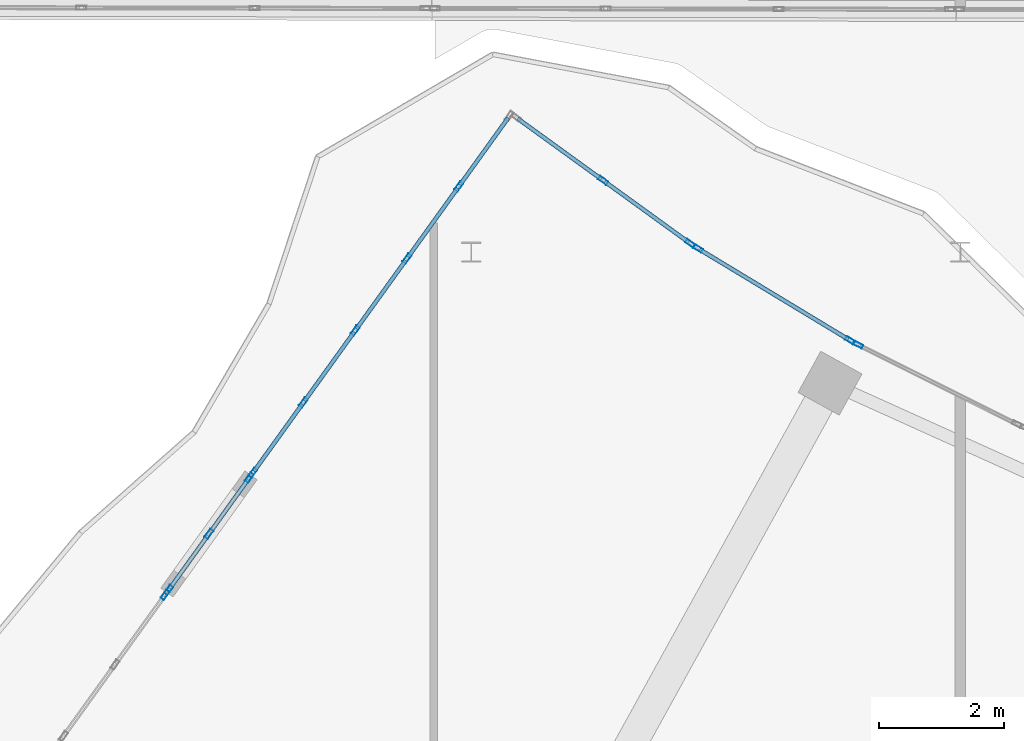
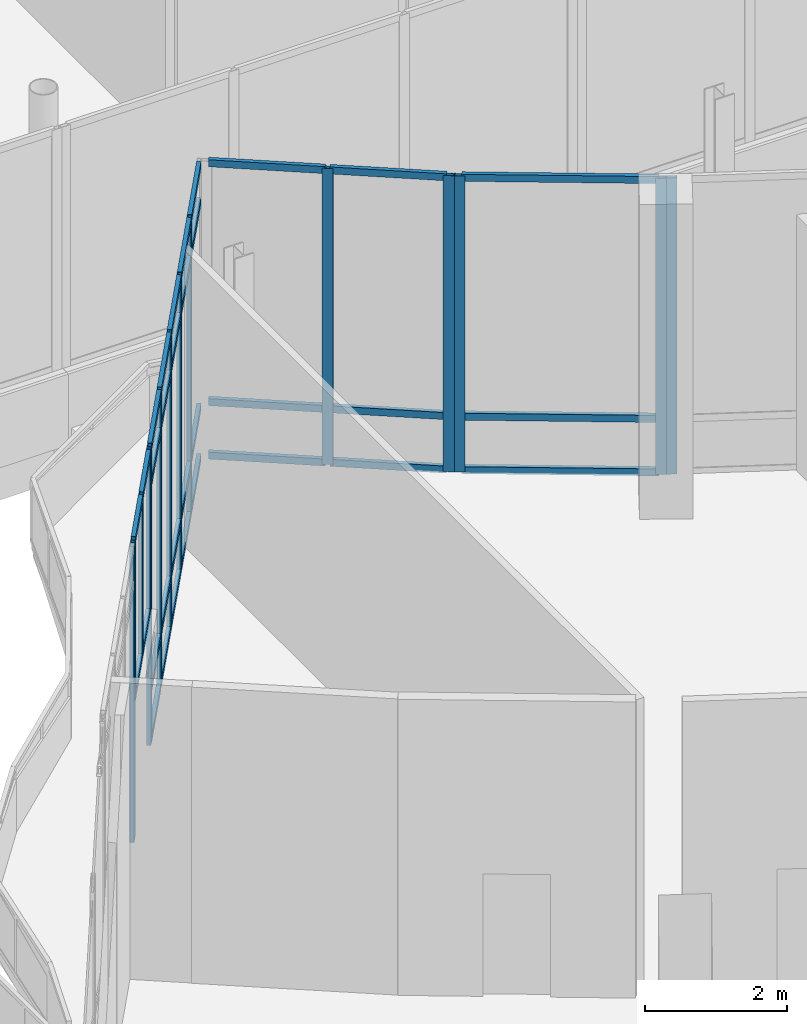
# One storey, part 30 of 158: 47 members, 6 elements without a shape of their own.
"""IFC4 building model written with IfcOpenShell, lengths in metres."""

from ifc_helpers import new_model, si_unit, direction, frame, origin, origin_2d, place, context, subcontext, project, spatial, hollow_rectangle, extrude, material, material_profile, profile_set, type_object, element, aggregate, save


model = new_model("IFC4")

# Units and contexts
model_context = context("Model", 3, precision=1e-05, world=origin(), true_north=direction((0.0, 1.0)))
body_context = subcontext(model_context, "Body", "Model", "MODEL_VIEW")
ifc_project = project(units=[si_unit("LENGTHUNIT", "METRE"), si_unit("AREAUNIT", "SQUARE_METRE"), si_unit("VOLUMEUNIT", "CUBIC_METRE"), si_unit("PLANEANGLEUNIT", "RADIAN"), si_unit("MASSUNIT", "GRAM", prefix="KILO")], contexts=[model_context])

# Site, building, storey
site_placement = place(None, origin())
site = spatial("IfcSite", under=ifc_project, at=site_placement, CompositionType="ELEMENT")
building_placement = place(site_placement, origin())
building = spatial("IfcBuilding", under=site, at=building_placement, Name="Selatvlak General Hospital", CompositionType="ELEMENT")
storey_placement = place(building_placement, origin())
storey = spatial("IfcBuildingStorey", under=building, at=storey_placement, Name="L00", CompositionType="ELEMENT", Elevation=0.0)

# Curtain wall, members
ifc_material_1 = material(Name="Solar-control Low-E double glazing", Category="glass")
curtain_wall_type_1 = type_object("IfcCurtainWallType", Name="CW-CW-02", PredefinedType="USERDEFINED", material=ifc_material_1)
curtain_wall_1_placement = place(storey_placement, origin())
curtain_wall_1 = element("IfcCurtainWall", 1, at=curtain_wall_1_placement, inside=storey, type_object=curtain_wall_type_1, Name="Glazed facade curtain wall CW-L00-0066", ObjectType="UNITISED CURTAIN WALL", PredefinedType="USERDEFINED")
ifc_material_2 = material(Name="Dark anodised aluminium mullion", Category="aluminium")
ifc_material_profile_1 = material_profile(ifc_material_2, hollow_rectangle(XDim=0.06494140625, YDim=0.159912109375, WallThickness=0.00390625, at=origin_2d()), Name="AL-MUL 65x160x4")
ifc_profile_set_1 = profile_set([ifc_material_profile_1], Name="Dark anodised aluminium mullion")
member_type_1 = type_object("IfcMemberType", Name="CWM-01", PredefinedType="MULLION", material=ifc_profile_set_1)
member_1_placement = place(storey_placement, frame((26.974853515625, 42.71044921875, 2.320068359375), z_axis=(0.0, 0.0, 1.0), x_axis=(-0.812302328602, 0.583236596029, 0.0)))
member_1 = element("IfcMember", 2, at=member_1_placement, type_object=member_type_1, Name="CW-02 mullion 1", PredefinedType="MULLION", context=body_context, shape_type="SweptSolid", body=[
    extrude(hollow_rectangle(XDim=0.06494140625, YDim=0.159912109375, WallThickness=0.00390625, at=origin_2d()), origin(), (0.0, 0.0, 1.0), 2.760009765625),
])
member_2_placement = place(storey_placement, frame((27.617919921875, 43.60595703125, 2.320068359375), z_axis=(0.0, 0.0, 1.0), x_axis=(-0.812302328602, 0.583236596029, 0.0)))
member_2 = element("IfcMember", 3, at=member_2_placement, type_object=member_type_1, Name="CW-02 mullion 2", PredefinedType="MULLION", context=body_context, shape_type="SweptSolid", body=[
    extrude(hollow_rectangle(XDim=0.06494140625, YDim=0.159912109375, WallThickness=0.00390625, at=origin_2d()), origin(), (0.0, 0.0, 1.0), 2.760009765625),
])
member_3_placement = place(storey_placement, frame((28.260986328125, 44.501708984375, 2.320068359375), z_axis=(0.0, 0.0, 1.0), x_axis=(-0.812302328602, 0.583236596029, 0.0)))
member_3 = element("IfcMember", 4, at=member_3_placement, type_object=member_type_1, Name="CW-02 mullion 3", PredefinedType="MULLION", context=body_context, shape_type="SweptSolid", body=[
    extrude(hollow_rectangle(XDim=0.06494140625, YDim=0.159912109375, WallThickness=0.00390625, at=origin_2d()), origin(), (0.0, 0.0, 1.0), 2.760009765625),
])

# Curtain wall, member
curtain_wall_type_2 = type_object("IfcCurtainWallType", Name="CW-CW-01", PredefinedType="USERDEFINED", material=ifc_material_1)
curtain_wall_2_placement = place(storey_placement, origin())
curtain_wall_2 = element("IfcCurtainWall", 5, at=curtain_wall_2_placement, inside=storey, type_object=curtain_wall_type_2, Name="Glazed facade curtain wall CW-L00-0067", ObjectType="UNITISED CURTAIN WALL", PredefinedType="USERDEFINED")
member_4_placement = place(storey_placement, frame((26.9189453125, 42.633544921875, 0.0), z_axis=(0.0, 0.0, 1.0), x_axis=(-0.81180439095, 0.583929474196, 0.0)))
member_4 = element("IfcMember", 6, at=member_4_placement, type_object=member_type_1, Name="CW-01 mullion 6", PredefinedType="MULLION", context=body_context, shape_type="SweptSolid", body=[
    extrude(hollow_rectangle(XDim=0.06494140625, YDim=0.159912109375, WallThickness=0.00390625, at=origin_2d()), origin(), (0.0, 0.0, 1.0), 5.080078125),
])
aggregate(curtain_wall_2, [member_4])

# Curtain wall, members
curtain_wall_3_placement = place(storey_placement, origin())
curtain_wall_3 = element("IfcCurtainWall", 7, at=curtain_wall_3_placement, inside=storey, type_object=curtain_wall_type_2, Name="Glazed facade curtain wall CW-L00-0068", ObjectType="UNITISED CURTAIN WALL", PredefinedType="USERDEFINED")
member_5_placement = place(storey_placement, frame((28.31689453125, 44.578369140625, 0.0), z_axis=(0.0, 0.0, 1.0), x_axis=(-0.811837318502, 0.583883694145, 0.0)))
member_5 = element("IfcMember", 8, at=member_5_placement, type_object=member_type_1, Name="CW-01 mullion 1", PredefinedType="MULLION", context=body_context, shape_type="SweptSolid", body=[
    extrude(hollow_rectangle(XDim=0.06494140625, YDim=0.159912109375, WallThickness=0.00390625, at=origin_2d()), origin(), (0.0, 0.0, 1.0), 5.080078125),
])
member_6_placement = place(storey_placement, frame((29.123779296875, 45.7001953125, 0.0), z_axis=(0.0, 0.0, 1.0), x_axis=(-0.811837318502, 0.583883694145, 0.0)))
member_6 = element("IfcMember", 9, at=member_6_placement, type_object=member_type_1, Name="CW-01 mullion 2", PredefinedType="MULLION", context=body_context, shape_type="SweptSolid", body=[
    extrude(hollow_rectangle(XDim=0.06494140625, YDim=0.159912109375, WallThickness=0.00390625, at=origin_2d()), origin(), (0.0, 0.0, 1.0), 5.080078125),
])
member_7_placement = place(storey_placement, frame((29.94970703125, 46.848388671875, 0.0), z_axis=(0.0, 0.0, 1.0), x_axis=(-0.811837318502, 0.583883694145, 0.0)))
member_7 = element("IfcMember", 10, at=member_7_placement, type_object=member_type_1, Name="CW-01 mullion 3", PredefinedType="MULLION", context=body_context, shape_type="SweptSolid", body=[
    extrude(hollow_rectangle(XDim=0.06494140625, YDim=0.159912109375, WallThickness=0.00390625, at=origin_2d()), origin(), (0.0, 0.0, 1.0), 5.080078125),
])
member_8_placement = place(storey_placement, frame((30.775390625, 47.99658203125, 0.0), z_axis=(0.0, 0.0, 1.0), x_axis=(-0.811837318502, 0.583883694145, 0.0)))
member_8 = element("IfcMember", 11, at=member_8_placement, type_object=member_type_1, Name="CW-01 mullion 4", PredefinedType="MULLION", context=body_context, shape_type="SweptSolid", body=[
    extrude(hollow_rectangle(XDim=0.06494140625, YDim=0.159912109375, WallThickness=0.00390625, at=origin_2d()), origin(), (0.0, 0.0, 1.0), 5.080078125),
])
member_9_placement = place(storey_placement, frame((31.601318359375, 49.144775390625, 0.0), z_axis=(0.0, 0.0, 1.0), x_axis=(-0.811837318502, 0.583883694145, 0.0)))
member_9 = element("IfcMember", 12, at=member_9_placement, type_object=member_type_1, Name="CW-01 mullion 5", PredefinedType="MULLION", context=body_context, shape_type="SweptSolid", body=[
    extrude(hollow_rectangle(XDim=0.06494140625, YDim=0.159912109375, WallThickness=0.00390625, at=origin_2d()), origin(), (0.0, 0.0, 1.0), 5.080078125),
])

curtain_wall_4_placement = place(storey_placement, origin())
curtain_wall_4 = element("IfcCurtainWall", 13, at=curtain_wall_4_placement, inside=storey, type_object=curtain_wall_type_2, Name="Glazed facade curtain wall CW-L00-0069", ObjectType="UNITISED CURTAIN WALL", PredefinedType="USERDEFINED")
member_10_placement = place(storey_placement, frame((33.903564453125, 49.242431640625, 0.0), z_axis=(0.0, 0.0, 1.0), x_axis=(0.58631560804, 0.810082716622, 0.0)))
member_10 = element("IfcMember", 14, at=member_10_placement, type_object=member_type_1, Name="CW-01 mullion 2", PredefinedType="MULLION", context=body_context, shape_type="SweptSolid", body=[
    extrude(hollow_rectangle(XDim=0.06494140625, YDim=0.159912109375, WallThickness=0.00390625, at=origin_2d()), origin(), (0.0, 0.0, 1.0), 5.080078125),
])
member_11_placement = place(storey_placement, frame((35.292724609375, 48.237060546875, 0.0), z_axis=(0.0, 0.0, 1.0), x_axis=(0.58631560804, 0.810082716622, 0.0)))
member_11 = element("IfcMember", 15, at=member_11_placement, type_object=member_type_1, Name="CW-01 mullion 3", PredefinedType="MULLION", context=body_context, shape_type="SweptSolid", body=[
    extrude(hollow_rectangle(XDim=0.06494140625, YDim=0.159912109375, WallThickness=0.00390625, at=origin_2d()), origin(), (0.0, 0.0, 1.0), 5.080078125),
])

curtain_wall_5_placement = place(storey_placement, origin())
curtain_wall_5 = element("IfcCurtainWall", 16, at=curtain_wall_5_placement, inside=storey, type_object=curtain_wall_type_1, Name="Glazed facade curtain wall CW-L00-0070", ObjectType="UNITISED CURTAIN WALL", PredefinedType="USERDEFINED")
member_12_placement = place(storey_placement, frame((35.414794921875, 48.158203125, 0.0), z_axis=(0.0, 0.0, 1.0), x_axis=(0.517384094885, 0.85575329293, 0.0)))
member_12 = element("IfcMember", 17, at=member_12_placement, type_object=member_type_1, Name="CW-02 mullion 1", PredefinedType="MULLION", context=body_context, shape_type="SweptSolid", body=[
    extrude(hollow_rectangle(XDim=0.06494140625, YDim=0.159912109375, WallThickness=0.00390625, at=origin_2d()), origin(), (0.0, 0.0, 1.0), 5.080078125),
])
member_13_placement = place(storey_placement, frame((37.840087890625, 46.69189453125, 0.0), z_axis=(0.0, 0.0, 1.0), x_axis=(0.517384094885, 0.85575329293, 0.0)))
member_13 = element("IfcMember", 18, at=member_13_placement, type_object=member_type_1, Name="CW-02 mullion 2", PredefinedType="MULLION", context=body_context, shape_type="SweptSolid", body=[
    extrude(hollow_rectangle(XDim=0.06494140625, YDim=0.159912109375, WallThickness=0.00390625, at=origin_2d()), origin(), (0.0, 0.0, 1.0), 5.080078125),
])

# Curtain wall, member
curtain_wall_6_placement = place(storey_placement, origin())
curtain_wall_6 = element("IfcCurtainWall", 19, at=curtain_wall_6_placement, inside=storey, type_object=curtain_wall_type_2, Name="Glazed facade curtain wall CW-L00-0071", ObjectType="UNITISED CURTAIN WALL", PredefinedType="USERDEFINED")
member_14_placement = place(storey_placement, frame((37.968017578125, 46.62353515625, 0.0), z_axis=(0.0, 0.0, 1.0), x_axis=(0.447627060006, 0.894220339262, 0.0)))
member_14 = element("IfcMember", 20, at=member_14_placement, type_object=member_type_1, Name="CW-01 mullion 1", PredefinedType="MULLION", context=body_context, shape_type="SweptSolid", body=[
    extrude(hollow_rectangle(XDim=0.06494140625, YDim=0.159912109375, WallThickness=0.00390625, at=origin_2d()), origin(), (0.0, 0.0, 1.0), 5.080078125),
])
aggregate(curtain_wall_6, [member_14])

# Member
ifc_material_profile_2 = material_profile(ifc_material_2, hollow_rectangle(XDim=0.06494140625, YDim=0.1201171875, WallThickness=0.00390625, at=origin_2d()), Name="AL-TRN 65x120x4")
ifc_profile_set_2 = profile_set([ifc_material_profile_2], Name="Dark anodised aluminium mullion")
member_type_2 = type_object("IfcMemberType", Name="CWT-01", PredefinedType="USERDEFINED", material=ifc_profile_set_2)
member_15_placement = place(storey_placement, frame((26.993896484375, 42.73681640625, 2.3525390625), z_axis=(0.583306308674, 0.812252270086, 0.0), x_axis=(-0.812252270086, 0.583306308674, 0.0)))
member_15 = element("IfcMember", 21, at=member_15_placement, type_object=member_type_2, Name="CW-02 transom 1.1", ObjectType="TRANSOM", PredefinedType="USERDEFINED", context=body_context, shape_type="SweptSolid", body=[
    extrude(hollow_rectangle(XDim=0.06494140625, YDim=0.1201171875, WallThickness=0.00390625, at=origin_2d()), origin(), (0.0, 0.0, 1.0), 1.03759765625),
])

member_16_placement = place(storey_placement, frame((26.993896484375, 42.73681640625, 5.047607421875), z_axis=(0.583306308674, 0.812252270086, 0.0), x_axis=(-0.812252270086, 0.583306308674, 0.0)))
member_16 = element("IfcMember", 22, at=member_16_placement, type_object=member_type_2, Name="CW-02 transom 1.2", ObjectType="TRANSOM", PredefinedType="USERDEFINED", context=body_context, shape_type="SweptSolid", body=[
    extrude(hollow_rectangle(XDim=0.06494140625, YDim=0.1201171875, WallThickness=0.00390625, at=origin_2d()), origin(), (0.0, 0.0, 1.0), 1.03759765625),
])

member_17_placement = place(storey_placement, frame((27.636962890625, 43.63232421875, 2.3525390625), z_axis=(0.583306308674, 0.812252270086, 0.0), x_axis=(-0.812252270086, 0.583306308674, 0.0)))
member_17 = element("IfcMember", 23, at=member_17_placement, type_object=member_type_2, Name="CW-02 transom 2.1", ObjectType="TRANSOM", PredefinedType="USERDEFINED", context=body_context, shape_type="SweptSolid", body=[
    extrude(hollow_rectangle(XDim=0.06494140625, YDim=0.1201171875, WallThickness=0.00390625, at=origin_2d()), origin(), (0.0, 0.0, 1.0), 1.03759765625),
])

member_18_placement = place(storey_placement, frame((27.636962890625, 43.63232421875, 5.047607421875), z_axis=(0.583306308674, 0.812252270086, 0.0), x_axis=(-0.812252270086, 0.583306308674, 0.0)))
member_18 = element("IfcMember", 24, at=member_18_placement, type_object=member_type_2, Name="CW-02 transom 2.2", ObjectType="TRANSOM", PredefinedType="USERDEFINED", context=body_context, shape_type="SweptSolid", body=[
    extrude(hollow_rectangle(XDim=0.06494140625, YDim=0.1201171875, WallThickness=0.00390625, at=origin_2d()), origin(), (0.0, 0.0, 1.0), 1.03759765625),
])

aggregate(curtain_wall_1, [member_1, member_2, member_3, member_15, member_16, member_17, member_18])

member_19_placement = place(storey_placement, frame((28.3359375, 44.604736328125, 0.032470703125), z_axis=(0.583830864609, 0.811875311566, 0.0), x_axis=(-0.811875311566, 0.583830864609, 0.0)))
member_19 = element("IfcMember", 25, at=member_19_placement, type_object=member_type_2, Name="CW-01 transom 1.1", ObjectType="TRANSOM", PredefinedType="USERDEFINED", context=body_context, shape_type="SweptSolid", body=[
    extrude(hollow_rectangle(XDim=0.06494140625, YDim=0.1201171875, WallThickness=0.00390625, at=origin_2d()), origin(), (0.0, 0.0, 1.0), 1.31689453125),
])

member_20_placement = place(storey_placement, frame((28.3359375, 44.604736328125, 0.89990234375), z_axis=(0.583830864609, 0.811875311566, 0.0), x_axis=(-0.811875311566, 0.583830864609, 0.0)))
member_20 = element("IfcMember", 26, at=member_20_placement, type_object=member_type_2, Name="CW-01 transom 1.2", ObjectType="TRANSOM", PredefinedType="USERDEFINED", context=body_context, shape_type="SweptSolid", body=[
    extrude(hollow_rectangle(XDim=0.06494140625, YDim=0.1201171875, WallThickness=0.00390625, at=origin_2d()), origin(), (0.0, 0.0, 1.0), 1.31689453125),
])

member_21_placement = place(storey_placement, frame((28.3359375, 44.604736328125, 4.429931640625), z_axis=(0.583830864609, 0.811875311566, 0.0), x_axis=(-0.811875311566, 0.583830864609, 0.0)))
member_21 = element("IfcMember", 27, at=member_21_placement, type_object=member_type_2, Name="CW-01 transom 1.3", ObjectType="TRANSOM", PredefinedType="USERDEFINED", context=body_context, shape_type="SweptSolid", body=[
    extrude(hollow_rectangle(XDim=0.06494140625, YDim=0.1201171875, WallThickness=0.00390625, at=origin_2d()), origin(), (0.0, 0.0, 1.0), 1.31689453125),
])

member_22_placement = place(storey_placement, frame((28.3359375, 44.604736328125, 5.047607421875), z_axis=(0.583830864609, 0.811875311566, 0.0), x_axis=(-0.811875311566, 0.583830864609, 0.0)))
member_22 = element("IfcMember", 28, at=member_22_placement, type_object=member_type_2, Name="CW-01 transom 1.4", ObjectType="TRANSOM", PredefinedType="USERDEFINED", context=body_context, shape_type="SweptSolid", body=[
    extrude(hollow_rectangle(XDim=0.06494140625, YDim=0.1201171875, WallThickness=0.00390625, at=origin_2d()), origin(), (0.0, 0.0, 1.0), 1.31689453125),
])

member_23_placement = place(storey_placement, frame((29.142822265625, 45.7265625, 0.032470703125), z_axis=(0.583870898815, 0.811846520912, 0.0), x_axis=(-0.811846520912, 0.583870898815, 0.0)))
member_23 = element("IfcMember", 29, at=member_23_placement, type_object=member_type_2, Name="CW-01 transom 2.1", ObjectType="TRANSOM", PredefinedType="USERDEFINED", context=body_context, shape_type="SweptSolid", body=[
    extrude(hollow_rectangle(XDim=0.06494140625, YDim=0.1201171875, WallThickness=0.00390625, at=origin_2d()), origin(), (0.0, 0.0, 1.0), 1.349365234375),
])

member_24_placement = place(storey_placement, frame((29.142822265625, 45.7265625, 0.89990234375), z_axis=(0.583870898815, 0.811846520912, 0.0), x_axis=(-0.811846520912, 0.583870898815, 0.0)))
member_24 = element("IfcMember", 30, at=member_24_placement, type_object=member_type_2, Name="CW-01 transom 2.2", ObjectType="TRANSOM", PredefinedType="USERDEFINED", context=body_context, shape_type="SweptSolid", body=[
    extrude(hollow_rectangle(XDim=0.06494140625, YDim=0.1201171875, WallThickness=0.00390625, at=origin_2d()), origin(), (0.0, 0.0, 1.0), 1.349365234375),
])

member_25_placement = place(storey_placement, frame((29.142822265625, 45.7265625, 4.429931640625), z_axis=(0.583870898815, 0.811846520912, 0.0), x_axis=(-0.811846520912, 0.583870898815, 0.0)))
member_25 = element("IfcMember", 31, at=member_25_placement, type_object=member_type_2, Name="CW-01 transom 2.3", ObjectType="TRANSOM", PredefinedType="USERDEFINED", context=body_context, shape_type="SweptSolid", body=[
    extrude(hollow_rectangle(XDim=0.06494140625, YDim=0.1201171875, WallThickness=0.00390625, at=origin_2d()), origin(), (0.0, 0.0, 1.0), 1.349365234375),
])

member_26_placement = place(storey_placement, frame((29.142822265625, 45.7265625, 5.047607421875), z_axis=(0.583870898815, 0.811846520912, 0.0), x_axis=(-0.811846520912, 0.583870898815, 0.0)))
member_26 = element("IfcMember", 32, at=member_26_placement, type_object=member_type_2, Name="CW-01 transom 2.4", ObjectType="TRANSOM", PredefinedType="USERDEFINED", context=body_context, shape_type="SweptSolid", body=[
    extrude(hollow_rectangle(XDim=0.06494140625, YDim=0.1201171875, WallThickness=0.00390625, at=origin_2d()), origin(), (0.0, 0.0, 1.0), 1.349365234375),
])

member_27_placement = place(storey_placement, frame((29.968505859375, 46.874755859375, 0.032470703125), z_axis=(0.583870898815, 0.811846520912, 0.0), x_axis=(-0.811846520912, 0.583870898815, 0.0)))
member_27 = element("IfcMember", 33, at=member_27_placement, type_object=member_type_2, Name="CW-01 transom 3.1", ObjectType="TRANSOM", PredefinedType="USERDEFINED", context=body_context, shape_type="SweptSolid", body=[
    extrude(hollow_rectangle(XDim=0.06494140625, YDim=0.1201171875, WallThickness=0.00390625, at=origin_2d()), origin(), (0.0, 0.0, 1.0), 1.349365234375),
])

member_28_placement = place(storey_placement, frame((29.968505859375, 46.874755859375, 0.89990234375), z_axis=(0.583870898815, 0.811846520912, 0.0), x_axis=(-0.811846520912, 0.583870898815, 0.0)))
member_28 = element("IfcMember", 34, at=member_28_placement, type_object=member_type_2, Name="CW-01 transom 3.2", ObjectType="TRANSOM", PredefinedType="USERDEFINED", context=body_context, shape_type="SweptSolid", body=[
    extrude(hollow_rectangle(XDim=0.06494140625, YDim=0.1201171875, WallThickness=0.00390625, at=origin_2d()), origin(), (0.0, 0.0, 1.0), 1.349365234375),
])

member_29_placement = place(storey_placement, frame((29.968505859375, 46.874755859375, 4.429931640625), z_axis=(0.583870898815, 0.811846520912, 0.0), x_axis=(-0.811846520912, 0.583870898815, 0.0)))
member_29 = element("IfcMember", 35, at=member_29_placement, type_object=member_type_2, Name="CW-01 transom 3.3", ObjectType="TRANSOM", PredefinedType="USERDEFINED", context=body_context, shape_type="SweptSolid", body=[
    extrude(hollow_rectangle(XDim=0.06494140625, YDim=0.1201171875, WallThickness=0.00390625, at=origin_2d()), origin(), (0.0, 0.0, 1.0), 1.349365234375),
])

member_30_placement = place(storey_placement, frame((29.968505859375, 46.874755859375, 5.047607421875), z_axis=(0.583870898815, 0.811846520912, 0.0), x_axis=(-0.811846520912, 0.583870898815, 0.0)))
member_30 = element("IfcMember", 36, at=member_30_placement, type_object=member_type_2, Name="CW-01 transom 3.4", ObjectType="TRANSOM", PredefinedType="USERDEFINED", context=body_context, shape_type="SweptSolid", body=[
    extrude(hollow_rectangle(XDim=0.06494140625, YDim=0.1201171875, WallThickness=0.00390625, at=origin_2d()), origin(), (0.0, 0.0, 1.0), 1.349365234375),
])

member_31_placement = place(storey_placement, frame((30.79443359375, 48.02294921875, 0.032470703125), z_axis=(0.583870898815, 0.811846520912, 0.0), x_axis=(-0.811846520912, 0.583870898815, 0.0)))
member_31 = element("IfcMember", 37, at=member_31_placement, type_object=member_type_2, Name="CW-01 transom 4.1", ObjectType="TRANSOM", PredefinedType="USERDEFINED", context=body_context, shape_type="SweptSolid", body=[
    extrude(hollow_rectangle(XDim=0.06494140625, YDim=0.1201171875, WallThickness=0.00390625, at=origin_2d()), origin(), (0.0, 0.0, 1.0), 1.349365234375),
])

member_32_placement = place(storey_placement, frame((30.79443359375, 48.02294921875, 0.89990234375), z_axis=(0.583870898815, 0.811846520912, 0.0), x_axis=(-0.811846520912, 0.583870898815, 0.0)))
member_32 = element("IfcMember", 38, at=member_32_placement, type_object=member_type_2, Name="CW-01 transom 4.2", ObjectType="TRANSOM", PredefinedType="USERDEFINED", context=body_context, shape_type="SweptSolid", body=[
    extrude(hollow_rectangle(XDim=0.06494140625, YDim=0.1201171875, WallThickness=0.00390625, at=origin_2d()), origin(), (0.0, 0.0, 1.0), 1.349365234375),
])

member_33_placement = place(storey_placement, frame((30.79443359375, 48.02294921875, 4.429931640625), z_axis=(0.583870898815, 0.811846520912, 0.0), x_axis=(-0.811846520912, 0.583870898815, 0.0)))
member_33 = element("IfcMember", 39, at=member_33_placement, type_object=member_type_2, Name="CW-01 transom 4.3", ObjectType="TRANSOM", PredefinedType="USERDEFINED", context=body_context, shape_type="SweptSolid", body=[
    extrude(hollow_rectangle(XDim=0.06494140625, YDim=0.1201171875, WallThickness=0.00390625, at=origin_2d()), origin(), (0.0, 0.0, 1.0), 1.349365234375),
])

member_34_placement = place(storey_placement, frame((30.79443359375, 48.02294921875, 5.047607421875), z_axis=(0.583870898815, 0.811846520912, 0.0), x_axis=(-0.811846520912, 0.583870898815, 0.0)))
member_34 = element("IfcMember", 40, at=member_34_placement, type_object=member_type_2, Name="CW-01 transom 4.4", ObjectType="TRANSOM", PredefinedType="USERDEFINED", context=body_context, shape_type="SweptSolid", body=[
    extrude(hollow_rectangle(XDim=0.06494140625, YDim=0.1201171875, WallThickness=0.00390625, at=origin_2d()), origin(), (0.0, 0.0, 1.0), 1.349365234375),
])

member_35_placement = place(storey_placement, frame((31.6201171875, 49.171142578125, 0.032470703125), z_axis=(0.583953050917, 0.811787431736, 0.0), x_axis=(-0.811787431736, 0.583953050917, 0.0)))
member_35 = element("IfcMember", 41, at=member_35_placement, type_object=member_type_2, Name="CW-01 transom 5.1", ObjectType="TRANSOM", PredefinedType="USERDEFINED", context=body_context, shape_type="SweptSolid", body=[
    extrude(hollow_rectangle(XDim=0.06494140625, YDim=0.1201171875, WallThickness=0.00390625, at=origin_2d()), origin(), (0.0, 0.0, 1.0), 1.31689453125),
])

member_36_placement = place(storey_placement, frame((31.6201171875, 49.171142578125, 0.89990234375), z_axis=(0.583953050917, 0.811787431736, 0.0), x_axis=(-0.811787431736, 0.583953050917, 0.0)))
member_36 = element("IfcMember", 42, at=member_36_placement, type_object=member_type_2, Name="CW-01 transom 5.2", ObjectType="TRANSOM", PredefinedType="USERDEFINED", context=body_context, shape_type="SweptSolid", body=[
    extrude(hollow_rectangle(XDim=0.06494140625, YDim=0.1201171875, WallThickness=0.00390625, at=origin_2d()), origin(), (0.0, 0.0, 1.0), 1.31689453125),
])

member_37_placement = place(storey_placement, frame((31.6201171875, 49.171142578125, 4.429931640625), z_axis=(0.583953050917, 0.811787431736, 0.0), x_axis=(-0.811787431736, 0.583953050917, 0.0)))
member_37 = element("IfcMember", 43, at=member_37_placement, type_object=member_type_2, Name="CW-01 transom 5.3", ObjectType="TRANSOM", PredefinedType="USERDEFINED", context=body_context, shape_type="SweptSolid", body=[
    extrude(hollow_rectangle(XDim=0.06494140625, YDim=0.1201171875, WallThickness=0.00390625, at=origin_2d()), origin(), (0.0, 0.0, 1.0), 1.31689453125),
])

member_38_placement = place(storey_placement, frame((31.6201171875, 49.171142578125, 5.047607421875), z_axis=(0.583953050917, 0.811787431736, 0.0), x_axis=(-0.811787431736, 0.583953050917, 0.0)))
member_38 = element("IfcMember", 44, at=member_38_placement, type_object=member_type_2, Name="CW-01 transom 5.4", ObjectType="TRANSOM", PredefinedType="USERDEFINED", context=body_context, shape_type="SweptSolid", body=[
    extrude(hollow_rectangle(XDim=0.06494140625, YDim=0.1201171875, WallThickness=0.00390625, at=origin_2d()), origin(), (0.0, 0.0, 1.0), 1.31689453125),
])

aggregate(curtain_wall_3, [member_5, member_6, member_7, member_8, member_9, member_19, member_20, member_21, member_22, member_23, member_24, member_25, member_26, member_27, member_28, member_29, member_30, member_31, member_32, member_33, member_34, member_35, member_36, member_37, member_38])

member_39_placement = place(storey_placement, frame((32.540771484375, 50.22900390625, 0.032470703125), z_axis=(0.810007561929, -0.586419431481, 0.0), x_axis=(0.586419431481, 0.810007561929, 0.0)))
member_39 = element("IfcMember", 45, at=member_39_placement, type_object=member_type_2, Name="CW-01 transom 1.1", ObjectType="TRANSOM", PredefinedType="USERDEFINED", context=body_context, shape_type="SweptSolid", body=[
    extrude(hollow_rectangle(XDim=0.06494140625, YDim=0.1201171875, WallThickness=0.00390625, at=origin_2d()), origin(), (0.0, 0.0, 1.0), 1.64990234375),
])

member_40_placement = place(storey_placement, frame((32.540771484375, 50.22900390625, 0.949951171875), z_axis=(0.810007561929, -0.586419431481, 0.0), x_axis=(0.586419431481, 0.810007561929, 0.0)))
member_40 = element("IfcMember", 46, at=member_40_placement, type_object=member_type_2, Name="CW-01 transom 1.2", ObjectType="TRANSOM", PredefinedType="USERDEFINED", context=body_context, shape_type="SweptSolid", body=[
    extrude(hollow_rectangle(XDim=0.06494140625, YDim=0.1201171875, WallThickness=0.00390625, at=origin_2d()), origin(), (0.0, 0.0, 1.0), 1.64990234375),
])

member_41_placement = place(storey_placement, frame((32.540771484375, 50.22900390625, 5.047607421875), z_axis=(0.810007561929, -0.586419431481, 0.0), x_axis=(0.586419431481, 0.810007561929, 0.0)))
member_41 = element("IfcMember", 47, at=member_41_placement, type_object=member_type_2, Name="CW-01 transom 1.3", ObjectType="TRANSOM", PredefinedType="USERDEFINED", context=body_context, shape_type="SweptSolid", body=[
    extrude(hollow_rectangle(XDim=0.06494140625, YDim=0.1201171875, WallThickness=0.00390625, at=origin_2d()), origin(), (0.0, 0.0, 1.0), 1.64990234375),
])

member_42_placement = place(storey_placement, frame((33.929931640625, 49.223388671875, 0.032470703125), z_axis=(0.810077850293, -0.586322331542, 0.0), x_axis=(0.586322331542, 0.810077850293, 0.0)))
member_42 = element("IfcMember", 48, at=member_42_placement, type_object=member_type_2, Name="CW-01 transom 2.1", ObjectType="TRANSOM", PredefinedType="USERDEFINED", context=body_context, shape_type="SweptSolid", body=[
    extrude(hollow_rectangle(XDim=0.06494140625, YDim=0.1201171875, WallThickness=0.00390625, at=origin_2d()), origin(), (0.0, 0.0, 1.0), 1.649658203125),
])

member_43_placement = place(storey_placement, frame((33.929931640625, 49.223388671875, 0.949951171875), z_axis=(0.810077850293, -0.586322331542, 0.0), x_axis=(0.586322331542, 0.810077850293, 0.0)))
member_43 = element("IfcMember", 49, at=member_43_placement, type_object=member_type_2, Name="CW-01 transom 2.2", ObjectType="TRANSOM", PredefinedType="USERDEFINED", context=body_context, shape_type="SweptSolid", body=[
    extrude(hollow_rectangle(XDim=0.06494140625, YDim=0.1201171875, WallThickness=0.00390625, at=origin_2d()), origin(), (0.0, 0.0, 1.0), 1.649658203125),
])

member_44_placement = place(storey_placement, frame((33.929931640625, 49.223388671875, 5.047607421875), z_axis=(0.810077850293, -0.586322331542, 0.0), x_axis=(0.586322331542, 0.810077850293, 0.0)))
member_44 = element("IfcMember", 50, at=member_44_placement, type_object=member_type_2, Name="CW-01 transom 2.3", ObjectType="TRANSOM", PredefinedType="USERDEFINED", context=body_context, shape_type="SweptSolid", body=[
    extrude(hollow_rectangle(XDim=0.06494140625, YDim=0.1201171875, WallThickness=0.00390625, at=origin_2d()), origin(), (0.0, 0.0, 1.0), 1.649658203125),
])

aggregate(curtain_wall_4, [member_10, member_11, member_39, member_40, member_41, member_42, member_43, member_44])

member_45_placement = place(storey_placement, frame((35.442626953125, 48.141357421875, 0.032470703125), z_axis=(0.855761034107, -0.517371290762, 0.0), x_axis=(0.517371290762, 0.855761034107, 0.0)))
member_45 = element("IfcMember", 51, at=member_45_placement, type_object=member_type_2, Name="CW-02 transom 1.1", ObjectType="TRANSOM", PredefinedType="USERDEFINED", context=body_context, shape_type="SweptSolid", body=[
    extrude(hollow_rectangle(XDim=0.06494140625, YDim=0.1201171875, WallThickness=0.00390625, at=origin_2d()), origin(), (0.0, 0.0, 1.0), 2.76904296875),
])

member_46_placement = place(storey_placement, frame((35.442626953125, 48.141357421875, 0.949951171875), z_axis=(0.855761034107, -0.517371290762, 0.0), x_axis=(0.517371290762, 0.855761034107, 0.0)))
member_46 = element("IfcMember", 52, at=member_46_placement, type_object=member_type_2, Name="CW-02 transom 1.2", ObjectType="TRANSOM", PredefinedType="USERDEFINED", context=body_context, shape_type="SweptSolid", body=[
    extrude(hollow_rectangle(XDim=0.06494140625, YDim=0.1201171875, WallThickness=0.00390625, at=origin_2d()), origin(), (0.0, 0.0, 1.0), 2.76904296875),
])

member_47_placement = place(storey_placement, frame((35.442626953125, 48.141357421875, 5.047607421875), z_axis=(0.855761034107, -0.517371290762, 0.0), x_axis=(0.517371290762, 0.855761034107, 0.0)))
member_47 = element("IfcMember", 53, at=member_47_placement, type_object=member_type_2, Name="CW-02 transom 1.3", ObjectType="TRANSOM", PredefinedType="USERDEFINED", context=body_context, shape_type="SweptSolid", body=[
    extrude(hollow_rectangle(XDim=0.06494140625, YDim=0.1201171875, WallThickness=0.00390625, at=origin_2d()), origin(), (0.0, 0.0, 1.0), 2.76904296875),
])

aggregate(curtain_wall_5, [member_12, member_13, member_45, member_46, member_47])

save(model, "model.ifc")
